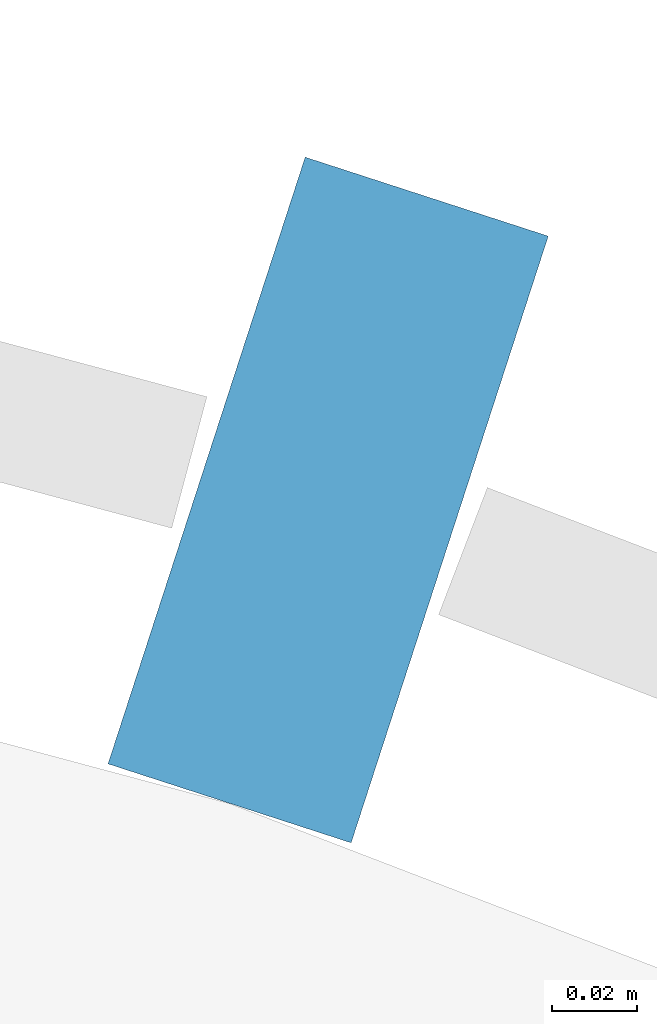
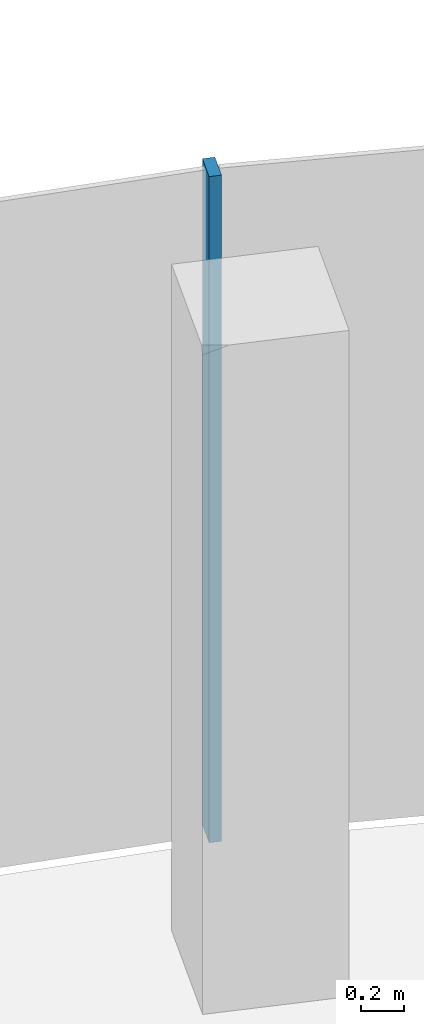
# One storey, part 10 of 18: 1 member, 1 element without a shape of its own.
"""IFC4 building model written with IfcOpenShell, lengths in metres."""

from ifc_helpers import new_model, si_unit, direction, frame, origin, origin_2d, place, context, subcontext, project, spatial, rectangle, extrude, material, layer, layer_set, material_profile, profile_set, type_object, element, aggregate, save


model = new_model("IFC4")

# Units and contexts
model_context = context("Model", 3, precision=1e-05, world=origin(), true_north=direction((0.0, 1.0)))
body_context = subcontext(model_context, "Body", "Model", "MODEL_VIEW")
ifc_project = project(units=[si_unit("LENGTHUNIT", "METRE"), si_unit("AREAUNIT", "SQUARE_METRE"), si_unit("VOLUMEUNIT", "CUBIC_METRE"), si_unit("PLANEANGLEUNIT", "RADIAN"), si_unit("MASSUNIT", "GRAM", prefix="KILO")], contexts=[model_context])

# Site, building, storey
site_placement = place(None, origin())
site = spatial("IfcSite", under=ifc_project, at=site_placement, CompositionType="ELEMENT")
building_placement = place(site_placement, origin())
building = spatial("IfcBuilding", under=site, at=building_placement, Name="Stone Belt Terrace Tower", CompositionType="ELEMENT")
storey_placement = place(building_placement, frame((0.0, 0.0, 296.0)))
storey = spatial("IfcBuildingStorey", under=building, at=storey_placement, Name="L72", CompositionType="ELEMENT", Elevation=296.0)

# Curtain wall, member
ifc_material = material(Name="Aluminium 6063-T6 anodised frame", Category="aluminium")
ifc_layer = layer(ifc_material, 0.14990234375)
ifc_layer_set = layer_set([ifc_layer], Name="CW-A unitised convex-face curtain wall")
curtain_wall_type = type_object("IfcCurtainWallType", Name="CW-A unitised convex-face curtain wall", PredefinedType="NOTDEFINED", material=ifc_layer_set)
curtain_wall_placement = place(storey_placement, origin())
curtain_wall = element("IfcCurtainWall", 1, at=curtain_wall_placement, inside=storey, type_object=curtain_wall_type, Name="CW-A convex face L72", PredefinedType="NOTDEFINED")
ifc_material_profile = material_profile(ifc_material, rectangle(XDim=0.14990234375, YDim=0.06005859375, at=origin_2d()), Name="Aluminium 6063-T6 60x150")
ifc_profile_set = profile_set([ifc_material_profile], Name="Aluminium 6063-T6 anodised frame")
member_type = type_object("IfcMemberType", Name="CW-A mullion 60 x 150", PredefinedType="MULLION", material=ifc_profile_set)
member_placement = place(storey_placement, frame((20.57275390625, 63.316650390625, 0.0), z_axis=(0.0, 0.0, 1.0), x_axis=(-0.309016994375, -0.951056516295, 0.0)))
member = element("IfcMember", 2, at=member_placement, type_object=member_type, Name="CW-A mullion 5", PredefinedType="MULLION", context=body_context, shape_type="SweptSolid", body=[
    extrude(rectangle(XDim=0.14990234375, YDim=0.06005859375, at=origin_2d()), origin(), (0.0, 0.0, 1.0), 3.800048828125),
])
aggregate(curtain_wall, [member])

save(model, "model.ifc")
